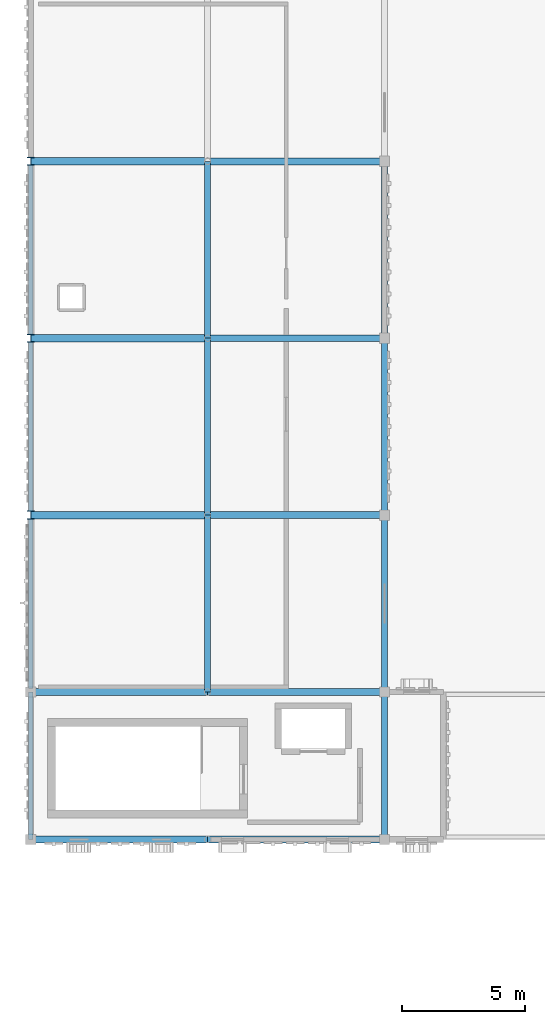
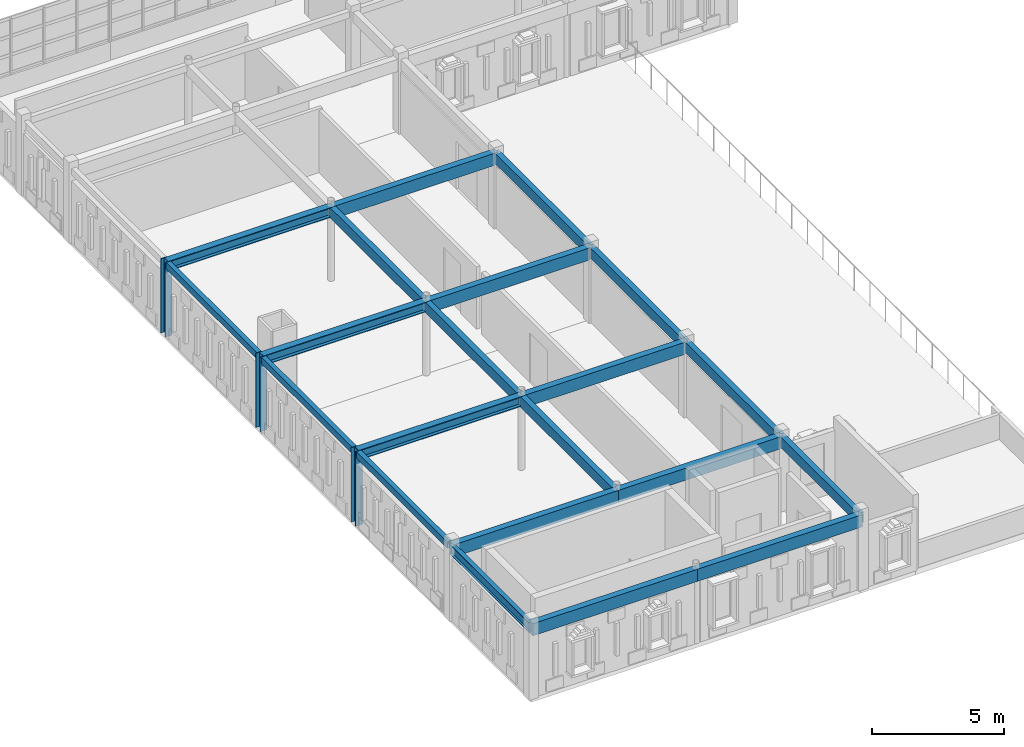
# One storey, part 9 of 46: 21 beams, 3 members.
"""IFC4 building model written with IfcOpenShell, lengths in metres."""

from ifc_helpers import new_model, si_unit, direction, frame, origin, origin_2d, place, context, subcontext, project, spatial, rectangle, hollow_rectangle, i_section, extrude, material, material_profile, profile_set, type_object, element, save


model = new_model("IFC4")

# Units and contexts
model_context = context("Model", 3, precision=1e-05, world=origin(), true_north=direction((0.0, 1.0)))
body_context = subcontext(model_context, "Body", "Model", "MODEL_VIEW")
ifc_project = project(units=[si_unit("LENGTHUNIT", "METRE"), si_unit("AREAUNIT", "SQUARE_METRE"), si_unit("VOLUMEUNIT", "CUBIC_METRE"), si_unit("PLANEANGLEUNIT", "RADIAN"), si_unit("MASSUNIT", "GRAM", prefix="KILO")], contexts=[model_context])

# Site, building, storey
site_placement = place(None, origin())
site = spatial("IfcSite", under=ifc_project, at=site_placement, CompositionType="ELEMENT")
building_placement = place(site_placement, origin())
building = spatial("IfcBuilding", under=site, at=building_placement, Name="Nzembalo Square Collegiate School", CompositionType="ELEMENT")
storey_placement = place(building_placement, frame((0.0, 0.0, 17.340087890625)))
storey = spatial("IfcBuildingStorey", under=building, at=storey_placement, Name="L04", CompositionType="ELEMENT", Elevation=17.340087890625)

# Beams
ifc_material_1 = material(Name="Glulam GL28h", Category="wood")
ifc_material_profile_1 = material_profile(ifc_material_1, rectangle(XDim=0.280029296875, YDim=0.56005859375, at=origin_2d()), Name="GL28h 280x560")
ifc_profile_set_1 = profile_set([ifc_material_profile_1], Name="Glulam GL28h")
beam_type_1 = type_object("IfcBeamType", Name="B05", PredefinedType="BEAM", material=ifc_profile_set_1)
beam_1_placement = place(storey_placement, frame((8.39990234375, 44.39990234375, 3.155029296875), z_axis=(1.0, 0.0, 0.0), x_axis=(0.0, 1.0, 0.0)))
element("IfcBeam", 1, at=beam_1_placement, inside=storey, type_object=beam_type_1, Name="Beam B05 L04", PredefinedType="BEAM", context=body_context, shape_type="SweptSolid", body=[
    extrude(rectangle(XDim=0.280029296875, YDim=0.56005859375, at=origin_2d()), origin(), (0.0, 0.0, 1.0), 7.2001953125),
])
beam_2_placement = place(storey_placement, frame((15.60009765625, 44.39990234375, 3.155029296875), z_axis=(1.0, 0.0, 0.0), x_axis=(0.0, 1.0, 0.0)))
element("IfcBeam", 2, at=beam_2_placement, inside=storey, type_object=beam_type_1, Name="Beam B05 L04", PredefinedType="BEAM", context=body_context, shape_type="SweptSolid", body=[
    extrude(rectangle(XDim=0.280029296875, YDim=0.56005859375, at=origin_2d()), origin(), (0.0, 0.0, 1.0), 7.199951171875),
])
beam_3_placement = place(storey_placement, frame((8.39990234375, 50.39990234375, 3.155029296875), z_axis=(1.0, 0.0, 0.0), x_axis=(0.0, 1.0, 0.0)))
element("IfcBeam", 3, at=beam_3_placement, inside=storey, type_object=beam_type_1, Name="Beam B05 L04", PredefinedType="BEAM", context=body_context, shape_type="SweptSolid", body=[
    extrude(rectangle(XDim=0.280029296875, YDim=0.56005859375, at=origin_2d()), origin(), (0.0, 0.0, 1.0), 7.2001953125),
])
for number, where, z_axis, x_axis, name in (
    (4, (15.60009765625, 50.39990234375, 3.155029296875), (1.0, 0.0, 0.0), (0.0, 1.0, 0.0), "Beam B05 L04"),
    (5, (15.60009765625, 57.60009765625, 3.155029296875), (1.0, 0.0, 0.0), (0.0, 1.0, 0.0), "Beam B05 L04"),
    (6, (15.60009765625, 64.800048828125, 3.155029296875), (1.0, 0.0, 0.0), (0.0, 1.0, 0.0), "Beam B05 L04"),
    (7, (15.60009765625, 72.0, 3.155029296875), (1.0, 0.0, 0.0), (0.0, 1.0, 0.0), "Beam B05 L04"),
):
    element("IfcBeam", number, at=place(storey_placement, frame(where, z_axis=z_axis, x_axis=x_axis)), inside=storey, type_object=beam_type_1, Name=name, PredefinedType="BEAM", context=body_context, shape_type="SweptSolid", body=[
        extrude(rectangle(XDim=0.280029296875, YDim=0.56005859375, at=origin_2d()), origin(), (0.0, 0.0, 1.0), 7.199951171875),
    ])
ifc_material_2 = material(Name="Glulam GL28h", Category="wood")
ifc_material_profile_2 = material_profile(ifc_material_2, rectangle(XDim=0.239990234375, YDim=0.47998046875, at=origin_2d()), Name="GL28h 240x480")
ifc_profile_set_2 = profile_set([ifc_material_profile_2], Name="Glulam GL28h")
beam_type_2 = type_object("IfcBeamType", Name="B06", PredefinedType="BEAM", material=ifc_profile_set_2)
beam_4_placement = place(storey_placement, frame((15.60009765625, 50.39990234375, 3.19482421875), z_axis=(0.0, 1.0, 0.0), x_axis=(-1.0, 0.0, 0.0)))
element("IfcBeam", 8, at=beam_4_placement, inside=storey, type_object=beam_type_2, Name="Beam B06 L04", PredefinedType="BEAM", context=body_context, shape_type="SweptSolid", body=[
    extrude(rectangle(XDim=0.239990234375, YDim=0.47998046875, at=origin_2d()), origin(), (0.0, 0.0, 1.0), 7.2001953125),
])
for number, where, z_axis, x_axis, name in (
    (9, (15.60009765625, 57.60009765625, 3.19482421875), (0.0, 1.0, 0.0), (-1.0, 0.0, 0.0), "Beam B06 L04"),
    (10, (15.60009765625, 64.800048828125, 3.19482421875), (0.0, 1.0, 0.0), (-1.0, 0.0, 0.0), "Beam B06 L04"),
):
    element("IfcBeam", number, at=place(storey_placement, frame(where, z_axis=z_axis, x_axis=x_axis)), inside=storey, type_object=beam_type_2, Name=name, PredefinedType="BEAM", context=body_context, shape_type="SweptSolid", body=[
        extrude(rectangle(XDim=0.239990234375, YDim=0.47998046875, at=origin_2d()), origin(), (0.0, 0.0, 1.0), 7.199951171875),
    ])
beam_5_placement = place(storey_placement, frame((22.800048828125, 44.39990234375, 3.19482421875), z_axis=(0.0, 1.0, 0.0), x_axis=(-1.0, 0.0, 0.0)))
element("IfcBeam", 11, at=beam_5_placement, inside=storey, type_object=beam_type_2, Name="Beam B06 L04", PredefinedType="BEAM", context=body_context, shape_type="SweptSolid", body=[
    extrude(rectangle(XDim=0.239990234375, YDim=0.47998046875, at=origin_2d()), origin(), (0.0, 0.0, 1.0), 6.0),
])
beam_6_placement = place(storey_placement, frame((22.800048828125, 50.39990234375, 3.19482421875), z_axis=(0.0, 1.0, 0.0), x_axis=(-1.0, 0.0, 0.0)))
element("IfcBeam", 12, at=beam_6_placement, inside=storey, type_object=beam_type_2, Name="Beam B06 L04", PredefinedType="BEAM", context=body_context, shape_type="SweptSolid", body=[
    extrude(rectangle(XDim=0.239990234375, YDim=0.47998046875, at=origin_2d()), origin(), (0.0, 0.0, 1.0), 7.2001953125),
])
for number, where, z_axis, x_axis, name in (
    (13, (22.800048828125, 57.60009765625, 3.19482421875), (0.0, 1.0, 0.0), (-1.0, 0.0, 0.0), "Beam B06 L04"),
    (14, (22.800048828125, 64.800048828125, 3.19482421875), (0.0, 1.0, 0.0), (-1.0, 0.0, 0.0), "Beam B06 L04"),
):
    element("IfcBeam", number, at=place(storey_placement, frame(where, z_axis=z_axis, x_axis=x_axis)), inside=storey, type_object=beam_type_2, Name=name, PredefinedType="BEAM", context=body_context, shape_type="SweptSolid", body=[
        extrude(rectangle(XDim=0.239990234375, YDim=0.47998046875, at=origin_2d()), origin(), (0.0, 0.0, 1.0), 7.199951171875),
    ])
ifc_material_3 = material(Name="Steel S355", Category="steel")
ifc_material_profile_3 = material_profile(ifc_material_3, i_section(OverallWidth=0.300048828125, OverallDepth=0.449951171875, WebThickness=0.013916015625, FlangeThickness=0.02587890625, at=origin_2d()), Name="HEB 450")
ifc_profile_set_3 = profile_set([ifc_material_profile_3], Name="Steel S355")
beam_type_3 = type_object("IfcBeamType", Name="B08", PredefinedType="BEAM", material=ifc_profile_set_3)
for number, where, z_axis, x_axis, name in (
    (15, (8.39990234375, 57.60009765625, 3.2099609375), (1.0, 0.0, 0.0), (0.0, 1.0, 0.0), "Cantilever outer girder B08 4A L04"),
    (16, (8.39990234375, 64.800048828125, 3.2099609375), (1.0, 0.0, 0.0), (0.0, 1.0, 0.0), "Cantilever outer girder B08 4A L04"),
    (17, (8.39990234375, 72.0, 3.2099609375), (1.0, 0.0, 0.0), (0.0, 1.0, 0.0), "Cantilever outer girder B08 4A L04"),
):
    element("IfcBeam", number, at=place(storey_placement, frame(where, z_axis=z_axis, x_axis=x_axis)), inside=storey, type_object=beam_type_3, Name=name, PredefinedType="BEAM", context=body_context, shape_type="SweptSolid", body=[
        extrude(i_section(OverallWidth=0.300048828125, OverallDepth=0.449951171875, WebThickness=0.013916015625, FlangeThickness=0.02587890625, at=origin_2d()), origin(), (0.0, 0.0, 1.0), 7.2001953125),
    ])
ifc_material_4 = material(Name="Steel S355", Category="steel")
ifc_material_profile_4 = material_profile(ifc_material_4, i_section(OverallWidth=0.18994140625, OverallDepth=0.449951171875, WebThickness=0.009521484375, FlangeThickness=0.0146484375, at=origin_2d()), Name="IPE 450")
ifc_profile_set_4 = profile_set([ifc_material_profile_4], Name="Steel S355")
beam_type_4 = type_object("IfcBeamType", Name="B09", PredefinedType="BEAM", material=ifc_profile_set_4)
beam_7_placement = place(storey_placement, frame((8.39990234375, 44.39990234375, 3.2099609375), z_axis=(0.0, 1.0, 0.0), x_axis=(-1.0, 0.0, 0.0)))
element("IfcBeam", 18, at=beam_7_placement, inside=storey, type_object=beam_type_4, Name="Beam B09 L04", PredefinedType="BEAM", context=body_context, shape_type="SweptSolid", body=[
    extrude(i_section(OverallWidth=0.18994140625, OverallDepth=0.449951171875, WebThickness=0.009521484375, FlangeThickness=0.0146484375, at=origin_2d()), origin(), (0.0, 0.0, 1.0), 6.0),
])
ifc_material_5 = material(Name="Steel S355", Category="steel")
ifc_material_profile_5 = material_profile(ifc_material_5, hollow_rectangle(XDim=0.199951171875, YDim=0.300048828125, WallThickness=0.011962890625, at=origin_2d()), Name="RHS 300x200x12")
ifc_profile_set_5 = profile_set([ifc_material_profile_5], Name="Steel S355")
beam_type_5 = type_object("IfcBeamType", Name="SP03", PredefinedType="SPANDREL", material=ifc_profile_set_5)
for number, where, z_axis, x_axis, name in (
    (19, (8.39990234375, 50.550048828125, 3.284912109375), (0.0, 1.0, 0.0), (-1.0, 0.0, 0.0), "Cantilever outer edge beam SP03 4A L04"),
    (20, (8.39990234375, 57.75, 3.284912109375), (0.0, 1.0, 0.0), (-1.0, 0.0, 0.0), "Cantilever outer edge beam SP03 4A L04"),
):
    element("IfcBeam", number, at=place(storey_placement, frame(where, z_axis=z_axis, x_axis=x_axis)), inside=storey, type_object=beam_type_5, Name=name, PredefinedType="SPANDREL", context=body_context, shape_type="SweptSolid", body=[
        extrude(hollow_rectangle(XDim=0.199951171875, YDim=0.300048828125, WallThickness=0.011962890625, at=origin_2d()), origin(), (0.0, 0.0, 1.0), 6.89990234375),
    ])
beam_8_placement = place(storey_placement, frame((8.39990234375, 64.949951171875, 3.284912109375), z_axis=(0.0, 1.0, 0.0), x_axis=(-1.0, 0.0, 0.0)))
element("IfcBeam", 21, at=beam_8_placement, inside=storey, type_object=beam_type_5, Name="Cantilever outer edge beam SP03 4A L04", PredefinedType="SPANDREL", context=body_context, shape_type="SweptSolid", body=[
    extrude(hollow_rectangle(XDim=0.199951171875, YDim=0.300048828125, WallThickness=0.011962890625, at=origin_2d()), origin(), (0.0, 0.0, 1.0), 6.900146484375),
])

# Members
ifc_material_6 = material(Name="Steel S355", Category="steel")
ifc_material_profile_6 = material_profile(ifc_material_6, i_section(OverallWidth=0.300048828125, OverallDepth=0.340087890625, WebThickness=0.011962890625, FlangeThickness=0.021484375, at=origin_2d()), Name="HEB 340")
ifc_profile_set_6 = profile_set([ifc_material_profile_6], Name="Steel S355")
member_type = type_object("IfcMemberType", Name="TP03", PredefinedType="POST", material=ifc_profile_set_6)
for number, where, z_axis, x_axis, name in (
    (22, (8.39990234375, 57.60009765625, 0.0), (0.0, 0.0, 1.0), (1.0, 0.0, 0.0), "TT-4A-02 upper pavilion post L04-0"),
    (23, (8.39990234375, 64.800048828125, 0.0), (0.0, 0.0, 1.0), (1.0, 0.0, 0.0), "TT-4A-03 upper pavilion post L04-0"),
    (24, (8.39990234375, 72.0, 0.0), (0.0, 0.0, 1.0), (1.0, 0.0, 0.0), "TT-4A-04 upper pavilion post L04-0"),
):
    element("IfcMember", number, at=place(storey_placement, frame(where, z_axis=z_axis, x_axis=x_axis)), inside=storey, type_object=member_type, Name=name, PredefinedType="POST", context=body_context, shape_type="SweptSolid", body=[
        extrude(i_section(OverallWidth=0.300048828125, OverallDepth=0.340087890625, WebThickness=0.011962890625, FlangeThickness=0.021484375, at=origin_2d()), origin(), (0.0, 0.0, 1.0), 3.434814453125),
    ])

save(model, "model.ifc")
